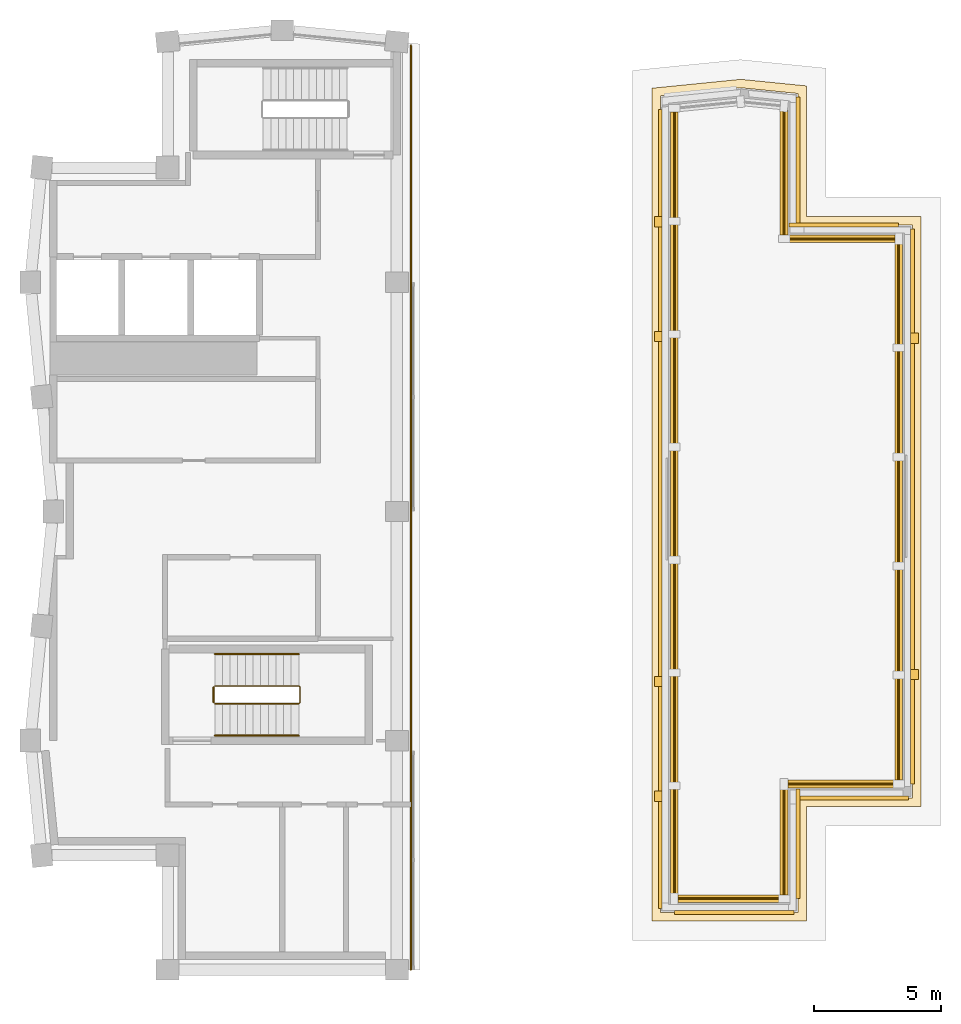
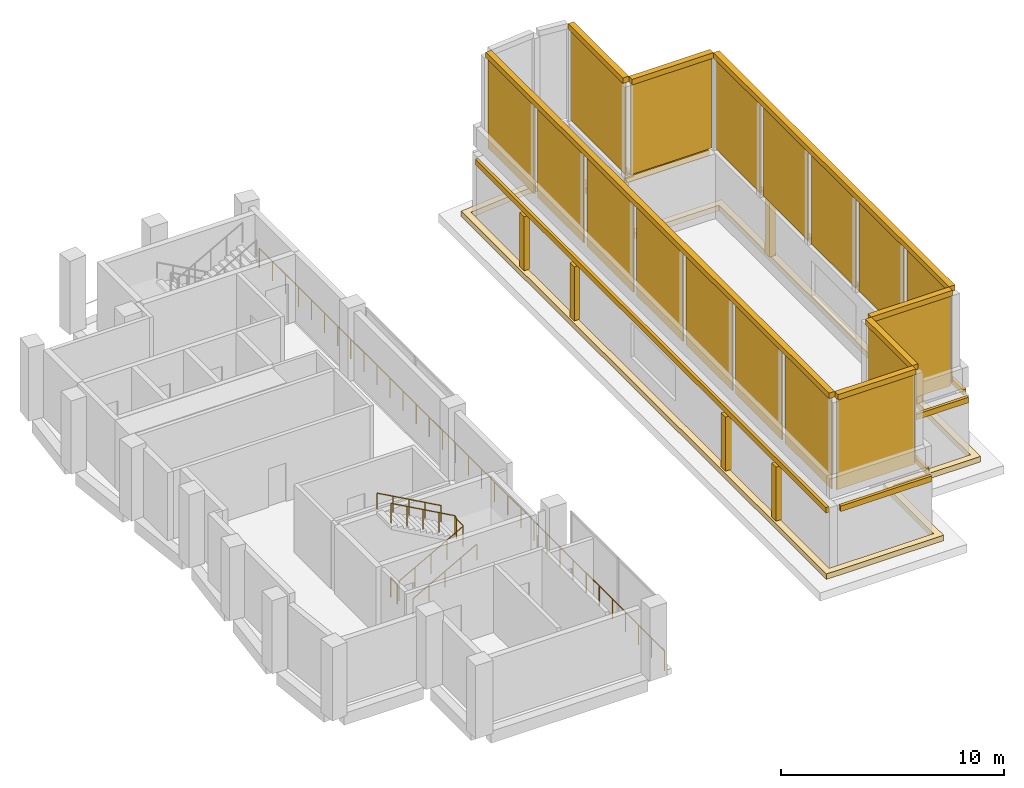
# One storey, part 7 of 8: 38 coverings, 5 railings.
"""IFC4 building model written with IfcOpenShell, lengths in metres."""

from ifc_helpers import new_model, si_unit, direction, frame, origin, origin_2d, place, context, subcontext, project, spatial, polyline, rectangle, circle, outline, extrude, material, layer, layer_set, material_profile, profile_set, type_object, element, save


model = new_model("IFC4")

# Units and contexts
model_context = context("Model", 3, precision=1e-05, world=origin(), true_north=direction((0.0, 1.0)))
body_context = subcontext(model_context, "Body", "Model", "MODEL_VIEW")
ifc_project = project(units=[si_unit("LENGTHUNIT", "METRE"), si_unit("AREAUNIT", "SQUARE_METRE"), si_unit("VOLUMEUNIT", "CUBIC_METRE"), si_unit("PLANEANGLEUNIT", "RADIAN"), si_unit("MASSUNIT", "GRAM", prefix="KILO")], contexts=[model_context])

# Site, building, storey
site_placement = place(None, origin())
site = spatial("IfcSite", under=ifc_project, at=site_placement, CompositionType="ELEMENT")
building_placement = place(site_placement, origin())
building = spatial("IfcBuilding", under=site, at=building_placement, Name="Brondeck Convention Tower", CompositionType="ELEMENT")
storey_placement = place(building_placement, frame((0.0, 0.0, 302.800048828125)))
storey = spatial("IfcBuildingStorey", under=building, at=storey_placement, Name="L75", CompositionType="ELEMENT", Elevation=302.800048828125)

# Coverings
ifc_material_1 = material(Name="Precast concrete C50/60", Category="concrete")
ifc_material_profile = material_profile(ifc_material_1, rectangle(XDim=0.300048828125, YDim=0.300048828125, at=origin_2d()), Name="Crown cap 300 x 300 Precast concrete C50/60")
ifc_profile_set = profile_set([ifc_material_profile], Name="Precast concrete C50/60")
covering_type_1 = type_object("IfcCoveringType", Name="Crown cap 300 x 300 Precast concrete C50/60", PredefinedType="MOLDING", material=ifc_profile_set)
covering_1_placement = place(storey_placement, frame((24.544921875, 29.794921875, 9.64990234375), z_axis=(1.0, 0.0, 0.0), x_axis=(0.0, 1.0, 0.0)))
element("IfcCovering", 1, at=covering_1_placement, inside=storey, type_object=covering_type_1, Name="ENV-CB-K2-T2-00", PredefinedType="MOLDING", context=body_context, shape_type="SweptSolid", body=[
    extrude(rectangle(XDim=0.300048828125, YDim=0.300048828125, at=origin_2d()), origin(), (0.0, 0.0, 1.0), 4.010009765625),
])
for number, where, z_axis, x_axis, name in (
    (2, (28.705078125, 29.945068359375, 9.64990234375), (0.0, 1.0, 0.0), (-1.0, 0.0, 0.0), "ENV-CB-K2-T2-01"),
    (3, (28.85498046875, 34.294921875, 9.64990234375), (1.0, 0.0, 0.0), (0.0, 1.0, 0.0), "ENV-CB-K2-T2-02"),
):
    element("IfcCovering", number, at=place(storey_placement, frame(where, z_axis=z_axis, x_axis=x_axis)), inside=storey, type_object=covering_type_1, Name=name, PredefinedType="MOLDING", context=body_context, shape_type="SweptSolid", body=[
        extrude(rectangle(XDim=0.300048828125, YDim=0.300048828125, at=origin_2d()), origin(), (0.0, 0.0, 1.0), 4.199951171875),
    ])
covering_2_placement = place(storey_placement, frame((33.205078125, 34.445068359375, 9.64990234375), z_axis=(0.0, 1.0, 0.0), x_axis=(-1.0, 0.0, 0.0)))
element("IfcCovering", 4, at=covering_2_placement, inside=storey, type_object=covering_type_1, Name="ENV-CB-K2-T2-03", PredefinedType="MOLDING", context=body_context, shape_type="SweptSolid", body=[
    extrude(rectangle(XDim=0.300048828125, YDim=0.300048828125, at=origin_2d()), origin(), (0.0, 0.0, 1.0), 21.10986328125),
])
covering_3_placement = place(storey_placement, frame((33.054931640625, 55.705078125, 9.64990234375), z_axis=(-1.0, 0.0, 0.0), x_axis=(0.0, -1.0, 0.0)))
element("IfcCovering", 5, at=covering_3_placement, inside=storey, type_object=covering_type_1, Name="ENV-CB-K2-T2-04", PredefinedType="MOLDING", context=body_context, shape_type="SweptSolid", body=[
    extrude(rectangle(XDim=0.300048828125, YDim=0.300048828125, at=origin_2d()), origin(), (0.0, 0.0, 1.0), 4.199951171875),
])
covering_4_placement = place(storey_placement, frame((28.705078125, 55.85498046875, 9.64990234375), z_axis=(0.0, 1.0, 0.0), x_axis=(-1.0, 0.0, 0.0)))
element("IfcCovering", 6, at=covering_4_placement, inside=storey, type_object=covering_type_1, Name="ENV-CB-K2-T2-05", PredefinedType="MOLDING", context=body_context, shape_type="SweptSolid", body=[
    extrude(rectangle(XDim=0.300048828125, YDim=0.300048828125, at=origin_2d()), origin(), (0.0, 0.0, 1.0), 4.91552734375),
])
covering_5_placement = place(storey_placement, frame((24.39501953125, 60.6806640625, 9.64990234375), z_axis=(0.0, -1.0, 0.0), x_axis=(1.0, 0.0, 0.0)))
element("IfcCovering", 7, at=covering_5_placement, inside=storey, type_object=covering_type_1, Name="ENV-CB-K2-T2-08", PredefinedType="MOLDING", context=body_context, shape_type="SweptSolid", body=[
    extrude(rectangle(XDim=0.300048828125, YDim=0.300048828125, at=origin_2d()), origin(), (0.0, 0.0, 1.0), 30.735595703125),
])
ifc_material_2 = material(Name="Aluminium, bronze anodised", Category="aluminium")
ifc_layer_1 = layer(ifc_material_2, 0.06005859375)
ifc_layer_set_1 = layer_set([ifc_layer_1], Name="Crown louvre panel, bronze anodised aluminium")
covering_type_2 = type_object("IfcCoveringType", Name="Crown louvre panel, bronze anodised aluminium", PredefinedType="CLADDING", material=ifc_layer_set_1)
covering_6_placement = place(storey_placement, frame((0.0, 0.0, 4.52001953125)))
element("IfcCovering", 8, at=covering_6_placement, inside=storey, type_object=covering_type_2, Name="ENV-CL-K2-T2-00-0", PredefinedType="CLADDING", context=body_context, shape_type="SweptSolid", body=[
    extrude(outline(polyline([(28.554931640625, 29.824951171875), (24.544921875, 29.824951171875), (24.544921875, 29.764892578125), (28.554931640625, 29.764892578125), (28.554931640625, 29.824951171875)])), origin(), (0.0, 0.0, 1.0), 4.97998046875),
])
covering_7_placement = place(storey_placement, frame((0.0, 0.0, 4.52001953125)))
element("IfcCovering", 9, at=covering_7_placement, inside=storey, type_object=covering_type_2, Name="ENV-CL-K2-T2-01-0", PredefinedType="CLADDING", context=body_context, shape_type="SweptSolid", body=[
    extrude(outline(polyline([(28.675048828125, 34.14501953125), (28.675048828125, 29.945068359375), (28.735107421875, 29.945068359375), (28.735107421875, 34.14501953125), (28.675048828125, 34.14501953125)])), origin(), (0.0, 0.0, 1.0), 4.97998046875),
])
covering_8_placement = place(storey_placement, frame((0.0, 0.0, 4.52001953125)))
element("IfcCovering", 10, at=covering_8_placement, inside=storey, type_object=covering_type_2, Name="ENV-CL-K2-T2-02-0", PredefinedType="CLADDING", context=body_context, shape_type="SweptSolid", body=[
    extrude(outline(polyline([(33.054931640625, 34.324951171875), (28.85498046875, 34.324951171875), (28.85498046875, 34.264892578125), (33.054931640625, 34.264892578125), (33.054931640625, 34.324951171875)])), origin(), (0.0, 0.0, 1.0), 4.97998046875),
])
covering_9_placement = place(storey_placement, frame((0.0, 0.0, 4.52001953125)))
element("IfcCovering", 11, at=covering_9_placement, inside=storey, type_object=covering_type_2, Name="ENV-CL-K2-T2-03-0", PredefinedType="CLADDING", context=body_context, shape_type="SweptSolid", body=[
    extrude(outline(polyline([(33.175048828125, 38.427001953125), (33.175048828125, 34.445068359375), (33.235107421875, 34.445068359375), (33.235107421875, 38.427001953125), (33.175048828125, 38.427001953125)])), origin(), (0.0, 0.0, 1.0), 4.97998046875),
])
covering_10_placement = place(storey_placement, frame((0.0, 0.0, 4.52001953125)))
element("IfcCovering", 12, at=covering_10_placement, inside=storey, type_object=covering_type_2, Name="ENV-CL-K2-T2-03-1", PredefinedType="CLADDING", context=body_context, shape_type="SweptSolid", body=[
    extrude(outline(polyline([(33.175048828125, 42.708984375), (33.175048828125, 38.72705078125), (33.235107421875, 38.72705078125), (33.235107421875, 42.708984375), (33.175048828125, 42.708984375)])), origin(), (0.0, 0.0, 1.0), 4.97998046875),
])
covering_11_placement = place(storey_placement, frame((0.0, 0.0, 4.52001953125)))
element("IfcCovering", 13, at=covering_11_placement, inside=storey, type_object=covering_type_2, Name="ENV-CL-K2-T2-03-2", PredefinedType="CLADDING", context=body_context, shape_type="SweptSolid", body=[
    extrude(outline(polyline([(33.175048828125, 46.990966796875), (33.175048828125, 43.009033203125), (33.235107421875, 43.009033203125), (33.235107421875, 46.990966796875), (33.175048828125, 46.990966796875)])), origin(), (0.0, 0.0, 1.0), 4.97998046875),
])
covering_12_placement = place(storey_placement, frame((0.0, 0.0, 4.52001953125)))
element("IfcCovering", 14, at=covering_12_placement, inside=storey, type_object=covering_type_2, Name="ENV-CL-K2-T2-03-3", PredefinedType="CLADDING", context=body_context, shape_type="SweptSolid", body=[
    extrude(outline(polyline([(33.175048828125, 51.27294921875), (33.175048828125, 47.291015625), (33.235107421875, 47.291015625), (33.235107421875, 51.27294921875), (33.175048828125, 51.27294921875)])), origin(), (0.0, 0.0, 1.0), 4.97998046875),
])
covering_13_placement = place(storey_placement, frame((0.0, 0.0, 4.52001953125)))
element("IfcCovering", 15, at=covering_13_placement, inside=storey, type_object=covering_type_2, Name="ENV-CL-K2-T2-03-4", PredefinedType="CLADDING", context=body_context, shape_type="SweptSolid", body=[
    extrude(outline(polyline([(33.175048828125, 55.554931640625), (33.175048828125, 51.572998046875), (33.235107421875, 51.572998046875), (33.235107421875, 55.554931640625), (33.175048828125, 55.554931640625)])), origin(), (0.0, 0.0, 1.0), 4.97998046875),
])
covering_14_placement = place(storey_placement, frame((0.0, 0.0, 4.52001953125)))
element("IfcCovering", 16, at=covering_14_placement, inside=storey, type_object=covering_type_2, Name="ENV-CL-K2-T2-04-0", PredefinedType="CLADDING", context=body_context, shape_type="SweptSolid", body=[
    extrude(outline(polyline([(28.85498046875, 55.675048828125), (33.054931640625, 55.675048828125), (33.054931640625, 55.735107421875), (28.85498046875, 55.735107421875), (28.85498046875, 55.675048828125)])), origin(), (0.0, 0.0, 1.0), 4.97998046875),
])
covering_15_placement = place(storey_placement, frame((0.0, 0.0, 4.52001953125)))
element("IfcCovering", 17, at=covering_15_placement, inside=storey, type_object=covering_type_2, Name="ENV-CL-K2-T2-05-0", PredefinedType="CLADDING", context=body_context, shape_type="SweptSolid", body=[
    extrude(outline(polyline([(28.675048828125, 60.7705078125), (28.675048828125, 55.85498046875), (28.735107421875, 55.85498046875), (28.735107421875, 60.7705078125), (28.675048828125, 60.7705078125)])), origin(), (0.0, 0.0, 1.0), 4.97998046875),
])
covering_16_placement = place(storey_placement, frame((0.0, 0.0, 4.52001953125)))
element("IfcCovering", 18, at=covering_16_placement, inside=storey, type_object=covering_type_2, Name="ENV-CL-K2-T2-08-0", PredefinedType="CLADDING", context=body_context, shape_type="SweptSolid", body=[
    extrude(outline(polyline([(24.425048828125, 56.546875), (24.425048828125, 60.6806640625), (24.364990234375, 60.6806640625), (24.364990234375, 56.546875), (24.425048828125, 56.546875)])), origin(), (0.0, 0.0, 1.0), 4.97998046875),
])
covering_17_placement = place(storey_placement, frame((0.0, 0.0, 4.52001953125)))
element("IfcCovering", 19, at=covering_17_placement, inside=storey, type_object=covering_type_2, Name="ENV-CL-K2-T2-08-1", PredefinedType="CLADDING", context=body_context, shape_type="SweptSolid", body=[
    extrude(outline(polyline([(24.425048828125, 52.11328125), (24.425048828125, 56.246826171875), (24.364990234375, 56.246826171875), (24.364990234375, 52.11328125), (24.425048828125, 52.11328125)])), origin(), (0.0, 0.0, 1.0), 4.97998046875),
])
covering_18_placement = place(storey_placement, frame((0.0, 0.0, 4.52001953125)))
element("IfcCovering", 20, at=covering_18_placement, inside=storey, type_object=covering_type_2, Name="ENV-CL-K2-T2-08-2", PredefinedType="CLADDING", context=body_context, shape_type="SweptSolid", body=[
    extrude(outline(polyline([(24.425048828125, 47.6796875), (24.425048828125, 51.813232421875), (24.364990234375, 51.813232421875), (24.364990234375, 47.6796875), (24.425048828125, 47.6796875)])), origin(), (0.0, 0.0, 1.0), 4.97998046875),
])
covering_19_placement = place(storey_placement, frame((0.0, 0.0, 4.52001953125)))
element("IfcCovering", 21, at=covering_19_placement, inside=storey, type_object=covering_type_2, Name="ENV-CL-K2-T2-08-3", PredefinedType="CLADDING", context=body_context, shape_type="SweptSolid", body=[
    extrude(outline(polyline([(24.425048828125, 43.24609375), (24.425048828125, 47.379638671875), (24.364990234375, 47.379638671875), (24.364990234375, 43.24609375), (24.425048828125, 43.24609375)])), origin(), (0.0, 0.0, 1.0), 4.97998046875),
])
covering_20_placement = place(storey_placement, frame((0.0, 0.0, 4.52001953125)))
element("IfcCovering", 22, at=covering_20_placement, inside=storey, type_object=covering_type_2, Name="ENV-CL-K2-T2-08-4", PredefinedType="CLADDING", context=body_context, shape_type="SweptSolid", body=[
    extrude(outline(polyline([(24.425048828125, 38.812255859375), (24.425048828125, 42.946044921875), (24.364990234375, 42.946044921875), (24.364990234375, 38.812255859375), (24.425048828125, 38.812255859375)])), origin(), (0.0, 0.0, 1.0), 4.97998046875),
])
covering_21_placement = place(storey_placement, frame((0.0, 0.0, 4.52001953125)))
element("IfcCovering", 23, at=covering_21_placement, inside=storey, type_object=covering_type_2, Name="ENV-CL-K2-T2-08-5", PredefinedType="CLADDING", context=body_context, shape_type="SweptSolid", body=[
    extrude(outline(polyline([(24.425048828125, 34.378662109375), (24.425048828125, 38.51220703125), (24.364990234375, 38.51220703125), (24.364990234375, 34.378662109375), (24.425048828125, 34.378662109375)])), origin(), (0.0, 0.0, 1.0), 4.97998046875),
])
covering_22_placement = place(storey_placement, frame((0.0, 0.0, 4.52001953125)))
element("IfcCovering", 24, at=covering_22_placement, inside=storey, type_object=covering_type_2, Name="ENV-CL-K2-T2-08-6", PredefinedType="CLADDING", context=body_context, shape_type="SweptSolid", body=[
    extrude(outline(polyline([(24.425048828125, 29.945068359375), (24.425048828125, 34.07861328125), (24.364990234375, 34.07861328125), (24.364990234375, 29.945068359375), (24.425048828125, 29.945068359375)])), origin(), (0.0, 0.0, 1.0), 4.97998046875),
])
ifc_material_3 = material(Name="Precast concrete C50/60 bronze finish", Category="concrete")
ifc_layer_2 = layer(ifc_material_3, 0.300048828125)
ifc_layer_set_2 = layer_set([ifc_layer_2], Name="Crown pilaster 400x300")
covering_type_3 = type_object("IfcCoveringType", Name="Crown pilaster 400x300", PredefinedType="CLADDING", material=ifc_layer_set_2)
covering_23_placement = place(storey_placement, frame((0.0, 0.0, 0.800048828125)))
element("IfcCovering", 25, at=covering_23_placement, inside=storey, type_object=covering_type_3, Name="ENV-CP-K2-T2-04-01", PredefinedType="CLADDING", context=body_context, shape_type="SweptSolid", body=[
    extrude(outline(polyline([(33.97998046875, 51.599609375), (33.97998046875, 51.99951171875), (33.679931640625, 51.99951171875), (33.679931640625, 51.599609375), (33.97998046875, 51.599609375)])), origin(), (0.0, 0.0, 1.0), 2.949951171875),
])
covering_24_placement = place(storey_placement, frame((0.0, 0.0, 0.800048828125)))
element("IfcCovering", 26, at=covering_24_placement, inside=storey, type_object=covering_type_3, Name="ENV-CP-K2-T2-04-04", PredefinedType="CLADDING", context=body_context, shape_type="SweptSolid", body=[
    extrude(outline(polyline([(33.97998046875, 38.3984375), (33.97998046875, 38.79833984375), (33.679931640625, 38.79833984375), (33.679931640625, 38.3984375), (33.97998046875, 38.3984375)])), origin(), (0.0, 0.0, 1.0), 2.949951171875),
])
covering_25_placement = place(storey_placement, frame((0.0, 0.0, 0.800048828125)))
element("IfcCovering", 27, at=covering_25_placement, inside=storey, type_object=covering_type_3, Name="ENV-CP-K2-T2-09-01", PredefinedType="CLADDING", context=body_context, shape_type="SweptSolid", body=[
    extrude(outline(polyline([(23.6201171875, 34.01318359375), (23.6201171875, 33.613037109375), (23.919921875, 33.613037109375), (23.919921875, 34.01318359375), (23.6201171875, 34.01318359375)])), origin(), (0.0, 0.0, 1.0), 2.949951171875),
])
covering_26_placement = place(storey_placement, frame((0.0, 0.0, 0.800048828125)))
element("IfcCovering", 28, at=covering_26_placement, inside=storey, type_object=covering_type_3, Name="ENV-CP-K2-T2-09-02", PredefinedType="CLADDING", context=body_context, shape_type="SweptSolid", body=[
    extrude(outline(polyline([(23.6201171875, 38.526123046875), (23.6201171875, 38.126220703125), (23.919921875, 38.126220703125), (23.919921875, 38.526123046875), (23.6201171875, 38.526123046875)])), origin(), (0.0, 0.0, 1.0), 2.949951171875),
])
covering_27_placement = place(storey_placement, frame((0.0, 0.0, 0.800048828125)))
element("IfcCovering", 29, at=covering_27_placement, inside=storey, type_object=covering_type_3, Name="ENV-CP-K2-T2-09-05", PredefinedType="CLADDING", context=body_context, shape_type="SweptSolid", body=[
    extrude(outline(polyline([(23.6201171875, 52.0654296875), (23.6201171875, 51.665283203125), (23.919921875, 51.665283203125), (23.919921875, 52.0654296875), (23.6201171875, 52.0654296875)])), origin(), (0.0, 0.0, 1.0), 2.949951171875),
])
covering_28_placement = place(storey_placement, frame((0.0, 0.0, 0.800048828125)))
element("IfcCovering", 30, at=covering_28_placement, inside=storey, type_object=covering_type_3, Name="ENV-CP-K2-T2-09-06", PredefinedType="CLADDING", context=body_context, shape_type="SweptSolid", body=[
    extrude(outline(polyline([(23.6201171875, 56.578369140625), (23.6201171875, 56.178466796875), (23.919921875, 56.178466796875), (23.919921875, 56.578369140625), (23.6201171875, 56.578369140625)])), origin(), (0.0, 0.0, 1.0), 2.949951171875),
])
ifc_layer_3 = layer(ifc_material_3, 0.14990234375)
ifc_layer_set_3 = layer_set([ifc_layer_3], Name="Crown tier cornice, precast")
covering_type_4 = type_object("IfcCoveringType", Name="Crown tier cornice, precast", PredefinedType="MOLDING", material=ifc_layer_set_3)
covering_29_placement = place(storey_placement, frame((0.0, 0.0, 3.75)))
element("IfcCovering", 31, at=covering_29_placement, inside=storey, type_object=covering_type_4, Name="ENV-CC-K2-T2-01", PredefinedType="MOLDING", context=body_context, shape_type="SweptSolid", body=[
    extrude(outline(polyline([(24.39990234375, 29.169921875), (29.10009765625, 29.169921875), (29.10009765625, 29.320068359375), (24.39990234375, 29.320068359375), (24.39990234375, 29.169921875)])), origin(), (0.0, 0.0, 1.0), 0.300048828125),
])
covering_30_placement = place(storey_placement, frame((0.0, 0.0, 3.75)))
element("IfcCovering", 32, at=covering_30_placement, inside=storey, type_object=covering_type_4, Name="ENV-CC-K2-T2-02", PredefinedType="MOLDING", context=body_context, shape_type="SweptSolid", body=[
    extrude(outline(polyline([(29.330078125, 29.800048828125), (29.330078125, 34.10009765625), (29.179931640625, 34.10009765625), (29.179931640625, 29.800048828125), (29.330078125, 29.800048828125)])), origin(), (0.0, 0.0, 1.0), 0.300048828125),
])
covering_31_placement = place(storey_placement, frame((0.0, 0.0, 3.75)))
element("IfcCovering", 33, at=covering_31_placement, inside=storey, type_object=covering_type_4, Name="ENV-CC-K2-T2-03", PredefinedType="MOLDING", context=body_context, shape_type="SweptSolid", body=[
    extrude(outline(polyline([(29.300048828125, 33.669921875), (33.60009765625, 33.669921875), (33.60009765625, 33.820068359375), (29.300048828125, 33.820068359375), (29.300048828125, 33.669921875)])), origin(), (0.0, 0.0, 1.0), 0.300048828125),
])
covering_32_placement = place(storey_placement, frame((0.0, 0.0, 3.75)))
element("IfcCovering", 34, at=covering_32_placement, inside=storey, type_object=covering_type_4, Name="ENV-CC-K2-T2-04", PredefinedType="MOLDING", context=body_context, shape_type="SweptSolid", body=[
    extrude(outline(polyline([(33.830078125, 34.298095703125), (33.830078125, 56.10009765625), (33.679931640625, 56.10009765625), (33.679931640625, 34.298095703125), (33.830078125, 34.298095703125)])), origin(), (0.0, 0.0, 1.0), 0.300048828125),
])
covering_33_placement = place(storey_placement, frame((0.0, 0.0, 3.75)))
element("IfcCovering", 35, at=covering_33_placement, inside=storey, type_object=covering_type_4, Name="ENV-CC-K2-T2-05", PredefinedType="MOLDING", context=body_context, shape_type="SweptSolid", body=[
    extrude(outline(polyline([(33.201904296875, 56.330078125), (28.89990234375, 56.330078125), (28.89990234375, 56.179931640625), (33.201904296875, 56.179931640625), (33.201904296875, 56.330078125)])), origin(), (0.0, 0.0, 1.0), 0.300048828125),
])
covering_34_placement = place(storey_placement, frame((0.0, 0.0, 3.75)))
element("IfcCovering", 36, at=covering_34_placement, inside=storey, type_object=covering_type_4, Name="ENV-CC-K2-T2-06", PredefinedType="MOLDING", context=body_context, shape_type="SweptSolid", body=[
    extrude(outline(polyline([(29.330078125, 56.298095703125), (29.330078125, 61.2685546875), (29.179931640625, 61.2685546875), (29.179931640625, 56.298095703125), (29.330078125, 56.298095703125)])), origin(), (0.0, 0.0, 1.0), 0.300048828125),
])
covering_35_placement = place(storey_placement, frame((0.0, 0.0, 3.75)))
element("IfcCovering", 37, at=covering_35_placement, inside=storey, type_object=covering_type_4, Name="ENV-CC-K2-T2-09", PredefinedType="MOLDING", context=body_context, shape_type="SweptSolid", body=[
    extrude(outline(polyline([(23.77001953125, 60.79150390625), (23.77001953125, 29.39990234375), (23.919921875, 29.39990234375), (23.919921875, 60.79150390625), (23.77001953125, 60.79150390625)])), origin(), (0.0, 0.0, 1.0), 0.300048828125),
])

# Railing
ifc_material_4 = material(Name="Steel S355, bronze painted", Category="steel")
railing_type_1 = type_object("IfcRailingType", Name="Guard, bronze steel rail and posts", PredefinedType="GUARDRAIL", material=ifc_material_4)
railing_1_placement = place(storey_placement, frame((14.050048828125, 27.0, 0.0)))
element("IfcRailing", 38, at=railing_1_placement, inside=storey, type_object=railing_type_1, Name="ENV-SLOT-144-L75-RL1", PredefinedType="GUARDRAIL", context=body_context, shape_type="SweptSolid", body=[
    extrude(circle(Radius=0.02490234375, at=origin_2d()), frame((0.0, 0.0, 1.0751953125), z_axis=(0.0, 1.0, 0.0), x_axis=(-1.0, 0.0, 0.0)), (0.0, 0.0, 1.0), 36.294921875),
    extrude(circle(Radius=0.02490234375, at=origin_2d()), origin(), (0.0, 0.0, 1.0), 1.050048828125),
    extrude(circle(Radius=0.02490234375, at=origin_2d()), frame((0.0, 1.1708984375, 0.0)), (0.0, 0.0, 1.0), 1.050048828125),
    extrude(circle(Radius=0.02490234375, at=origin_2d()), frame((0.0, 2.341552734375, 0.0)), (0.0, 0.0, 1.0), 1.050048828125),
    extrude(circle(Radius=0.02490234375, at=origin_2d()), frame((0.0, 3.512451171875, 0.0)), (0.0, 0.0, 1.0), 1.050048828125),
    extrude(circle(Radius=0.02490234375, at=origin_2d()), frame((0.0, 4.68310546875, 0.0)), (0.0, 0.0, 1.0), 1.050048828125),
    extrude(circle(Radius=0.02490234375, at=origin_2d()), frame((0.0, 5.85400390625, 0.0)), (0.0, 0.0, 1.0), 1.050048828125),
    extrude(circle(Radius=0.02490234375, at=origin_2d()), frame((0.0, 7.02490234375, 0.0)), (0.0, 0.0, 1.0), 1.050048828125),
    extrude(circle(Radius=0.02490234375, at=origin_2d()), frame((0.0, 8.195556640625, 0.0)), (0.0, 0.0, 1.0), 1.050048828125),
    extrude(circle(Radius=0.02490234375, at=origin_2d()), frame((0.0, 9.366455078125, 0.0)), (0.0, 0.0, 1.0), 1.050048828125),
    extrude(circle(Radius=0.02490234375, at=origin_2d()), frame((0.0, 10.537353515625, 0.0)), (0.0, 0.0, 1.0), 1.050048828125),
    extrude(circle(Radius=0.02490234375, at=origin_2d()), frame((0.0, 11.7080078125, 0.0)), (0.0, 0.0, 1.0), 1.050048828125),
    extrude(circle(Radius=0.02490234375, at=origin_2d()), frame((0.0, 12.87890625, 0.0)), (0.0, 0.0, 1.0), 1.050048828125),
    extrude(circle(Radius=0.02490234375, at=origin_2d()), frame((0.0, 14.049560546875, 0.0)), (0.0, 0.0, 1.0), 1.050048828125),
    extrude(circle(Radius=0.02490234375, at=origin_2d()), frame((0.0, 15.220458984375, 0.0)), (0.0, 0.0, 1.0), 1.050048828125),
    extrude(circle(Radius=0.02490234375, at=origin_2d()), frame((0.0, 16.391357421875, 0.0)), (0.0, 0.0, 1.0), 1.050048828125),
    extrude(circle(Radius=0.02490234375, at=origin_2d()), frame((0.0, 17.56201171875, 0.0)), (0.0, 0.0, 1.0), 1.050048828125),
    extrude(circle(Radius=0.02490234375, at=origin_2d()), frame((0.0, 18.73291015625, 0.0)), (0.0, 0.0, 1.0), 1.050048828125),
    extrude(circle(Radius=0.02490234375, at=origin_2d()), frame((0.0, 19.903564453125, 0.0)), (0.0, 0.0, 1.0), 1.050048828125),
    extrude(circle(Radius=0.02490234375, at=origin_2d()), frame((0.0, 21.074462890625, 0.0)), (0.0, 0.0, 1.0), 1.050048828125),
    extrude(circle(Radius=0.02490234375, at=origin_2d()), frame((0.0, 22.245361328125, 0.0)), (0.0, 0.0, 1.0), 1.050048828125),
    extrude(circle(Radius=0.02490234375, at=origin_2d()), frame((0.0, 23.416015625, 0.0)), (0.0, 0.0, 1.0), 1.050048828125),
    extrude(circle(Radius=0.02490234375, at=origin_2d()), frame((0.0, 24.5869140625, 0.0)), (0.0, 0.0, 1.0), 1.050048828125),
    extrude(circle(Radius=0.02490234375, at=origin_2d()), frame((0.0, 25.757568359375, 0.0)), (0.0, 0.0, 1.0), 1.050048828125),
    extrude(circle(Radius=0.02490234375, at=origin_2d()), frame((0.0, 26.928466796875, 0.0)), (0.0, 0.0, 1.0), 1.050048828125),
    extrude(circle(Radius=0.02490234375, at=origin_2d()), frame((0.0, 28.099365234375, 0.0)), (0.0, 0.0, 1.0), 1.050048828125),
    extrude(circle(Radius=0.02490234375, at=origin_2d()), frame((0.0, 29.27001953125, 0.0)), (0.0, 0.0, 1.0), 1.050048828125),
    extrude(circle(Radius=0.02490234375, at=origin_2d()), frame((0.0, 30.44091796875, 0.0)), (0.0, 0.0, 1.0), 1.050048828125),
    extrude(circle(Radius=0.02490234375, at=origin_2d()), frame((0.0, 31.61181640625, 0.0)), (0.0, 0.0, 1.0), 1.050048828125),
    extrude(circle(Radius=0.02490234375, at=origin_2d()), frame((0.0, 32.782470703125, 0.0)), (0.0, 0.0, 1.0), 1.050048828125),
    extrude(circle(Radius=0.02490234375, at=origin_2d()), frame((0.0, 33.953369140625, 0.0)), (0.0, 0.0, 1.0), 1.050048828125),
    extrude(circle(Radius=0.02490234375, at=origin_2d()), frame((0.0, 35.1240234375, 0.0)), (0.0, 0.0, 1.0), 1.050048828125),
    extrude(circle(Radius=0.02490234375, at=origin_2d()), frame((0.0, 36.294921875, 0.0)), (0.0, 0.0, 1.0), 1.050048828125),
])

# Covering
ifc_material_5 = material(Name="Bitumen membrane")
ifc_layer_4 = layer(ifc_material_5, 0.02001953125, Name="Waterproofing")
ifc_material_6 = material(Name="Mineral wool")
ifc_layer_5 = layer(ifc_material_6, 0.280029296875, Name="Insulation")
ifc_layer_set_4 = layer_set([ifc_layer_4, ifc_layer_5], Name="Roof membrane and insulation")
covering_type_5 = type_object("IfcCoveringType", Name="Roof membrane and insulation", PredefinedType="ROOFING", material=ifc_layer_set_4)
covering_36_placement = place(storey_placement, frame((0.0, 0.0, 0.5)))
element("IfcCovering", 39, at=covering_36_placement, inside=storey, type_object=covering_type_5, Name="ENV-CT-K2-T1-RF1", PredefinedType="ROOFING", context=body_context, shape_type="SweptSolid", body=[
    extrude(outline(polyline([(27.0, 61.970458984375), (23.52001953125, 61.622314453125), (23.52001953125, 28.919921875), (29.580078125, 28.919921875), (29.580078125, 33.419921875), (34.080078125, 33.419921875), (34.080078125, 56.580078125), (29.580078125, 56.580078125), (29.580078125, 61.71240234375), (27.0, 61.970458984375)]), holes=[polyline([(29.25, 33.75), (29.25, 29.25), (23.85009765625, 29.25), (23.85009765625, 61.32373046875), (27.0, 61.638916015625), (29.25, 61.413818359375), (29.25, 56.25), (33.75, 56.25), (33.75, 33.75), (29.25, 33.75)])]), origin(), (0.0, 0.0, 1.0), 0.300048828125),
])

# Railings
ifc_material_7 = material(Name="Steel S355", Category="steel")
railing_type_2 = type_object("IfcRailingType", Name="Stair guard 1100", PredefinedType="GUARDRAIL", material=ifc_material_7)
railing_2_placement = place(storey_placement, frame((6.35009765625, 37.449951171875, 0.16650390625)))
element("IfcRailing", 40, at=railing_2_placement, inside=storey, type_object=railing_type_2, Name="L75 ST-1 stair guard 1", PredefinedType="GUARDRAIL", context=body_context, shape_type="SweptSolid", body=[
    extrude(circle(Radius=0.02392578125, at=origin_2d()), frame((0.0, 0.0, 1.076171875), z_axis=(0.874126768038, 0.0, 0.485697841667), x_axis=(0.0, 1.0, 0.0)), (0.0, 0.0, 1.0), 3.77490234375),
    extrude(circle(Radius=0.02392578125, at=origin_2d()), frame((3.2998046875, 0.0, 2.90966796875), z_axis=(0.707106781187, 0.707106781187, 0.0), x_axis=(-0.707106781187, 0.707106781187, 0.0)), (0.0, 0.0, 1.0), 0.07080078125),
    extrude(circle(Radius=0.02392578125, at=origin_2d()), frame((3.349853515625, 0.050048828125, 2.90966796875), z_axis=(0.0, 1.0, 0.0), x_axis=(-1.0, 0.0, 0.0)), (0.0, 0.0, 1.0), 0.60009765625),
    extrude(circle(Radius=0.02392578125, at=origin_2d()), frame((3.349853515625, 0.650146484375, 2.90966796875), z_axis=(-0.276732813696, 0.275382897532, 0.920642824102), x_axis=(-0.705375805398, -0.708833529934, 0.0)), (0.0, 0.0, 1.0), 0.180908203125),
    extrude(circle(Radius=0.02392578125, at=origin_2d()), frame((3.2998046875, 0.699951171875, 3.076171875), z_axis=(-0.874126768038, 0.0, 0.485697841667), x_axis=(0.0, -1.0, 0.0)), (0.0, 0.0, 1.0), 3.77490234375),
    extrude(circle(Radius=0.02099609375, at=origin_2d()), origin(), (0.0, 0.0, 1.0), 1.052001953125),
    extrude(circle(Radius=0.02099609375, at=origin_2d()), frame((0.824951171875, 0.0, 0.45849609375)), (0.0, 0.0, 1.0), 1.052001953125),
    extrude(circle(Radius=0.02099609375, at=origin_2d()), frame((1.64990234375, 0.0, 0.916748046875)), (0.0, 0.0, 1.0), 1.052001953125),
    extrude(circle(Radius=0.02099609375, at=origin_2d()), frame((2.474853515625, 0.0, 1.375)), (0.0, 0.0, 1.0), 1.052001953125),
    extrude(circle(Radius=0.02099609375, at=origin_2d()), frame((3.2998046875, 0.0, 1.83349609375)), (0.0, 0.0, 1.0), 1.052001953125),
    extrude(circle(Radius=0.02099609375, at=origin_2d()), frame((3.349853515625, 0.050048828125, 1.83349609375)), (0.0, 0.0, 1.0), 1.052001953125),
    extrude(circle(Radius=0.02099609375, at=origin_2d()), frame((3.349853515625, 0.650146484375, 1.83349609375)), (0.0, 0.0, 1.0), 1.052001953125),
    extrude(circle(Radius=0.02099609375, at=origin_2d()), frame((3.2998046875, 0.699951171875, 2.0)), (0.0, 0.0, 1.0), 1.052001953125),
    extrude(circle(Radius=0.02099609375, at=origin_2d()), frame((2.474853515625, 0.699951171875, 2.45849609375)), (0.0, 0.0, 1.0), 1.052001953125),
    extrude(circle(Radius=0.02099609375, at=origin_2d()), frame((1.64990234375, 0.699951171875, 2.916748046875)), (0.0, 0.0, 1.0), 1.052001953125),
    extrude(circle(Radius=0.02099609375, at=origin_2d()), frame((0.824951171875, 0.699951171875, 3.375)), (0.0, 0.0, 1.0), 1.052001953125),
    extrude(circle(Radius=0.02099609375, at=origin_2d()), frame((0.0, 0.699951171875, 3.83349609375)), (0.0, 0.0, 1.0), 1.052001953125),
])
railing_3_placement = place(storey_placement, frame((6.300048828125, 37.5, 0.0)))
element("IfcRailing", 41, at=railing_3_placement, inside=storey, type_object=railing_type_2, Name="L75 ST-1 stair guard 2", PredefinedType="GUARDRAIL", context=body_context, shape_type="SweptSolid", body=[
    extrude(circle(Radius=0.02392578125, at=origin_2d()), frame((0.0, 0.0, 1.076171875), z_axis=(0.0, 1.0, 0.0), x_axis=(-1.0, 0.0, 0.0)), (0.0, 0.0, 1.0), 0.60009765625),
    extrude(circle(Radius=0.02099609375, at=origin_2d()), origin(), (0.0, 0.0, 1.0), 1.052001953125),
    extrude(circle(Radius=0.02099609375, at=origin_2d()), frame((0.0, 0.60009765625, 0.0)), (0.0, 0.0, 1.0), 1.052001953125),
])
railing_type_3 = type_object("IfcRailingType", Name="Stair handrail", PredefinedType="HANDRAIL", material=ifc_material_7)
railing_4_placement = place(storey_placement, frame((6.35009765625, 36.199951171875, 0.16650390625)))
element("IfcRailing", 42, at=railing_4_placement, inside=storey, type_object=railing_type_3, Name="L75 ST-1 stair handrail 1", PredefinedType="HANDRAIL", context=body_context, shape_type="SweptSolid", body=[
    extrude(circle(Radius=0.02392578125, at=origin_2d()), frame((0.0, 0.0, 0.8759765625), z_axis=(0.874126768038, 0.0, 0.485697841667), x_axis=(0.0, 1.0, 0.0)), (0.0, 0.0, 1.0), 3.77490234375),
    extrude(circle(Radius=0.02099609375, at=origin_2d()), origin(), (0.0, 0.0, 1.0), 0.851806640625),
    extrude(circle(Radius=0.02099609375, at=origin_2d()), frame((0.824951171875, 0.0, 0.45849609375)), (0.0, 0.0, 1.0), 0.851806640625),
    extrude(circle(Radius=0.02099609375, at=origin_2d()), frame((1.64990234375, 0.0, 0.916748046875)), (0.0, 0.0, 1.0), 0.851806640625),
    extrude(circle(Radius=0.02099609375, at=origin_2d()), frame((2.474853515625, 0.0, 1.375)), (0.0, 0.0, 1.0), 0.851806640625),
    extrude(circle(Radius=0.02099609375, at=origin_2d()), frame((3.2998046875, 0.0, 1.83349609375)), (0.0, 0.0, 1.0), 0.851806640625),
])
railing_5_placement = place(storey_placement, frame((9.64990234375, 39.39990234375, 2.16650390625)))
element("IfcRailing", 43, at=railing_5_placement, inside=storey, type_object=railing_type_3, Name="L75 ST-1 stair handrail 2", PredefinedType="HANDRAIL", context=body_context, shape_type="SweptSolid", body=[
    extrude(circle(Radius=0.02392578125, at=origin_2d()), frame((0.0, 0.0, 0.8759765625), z_axis=(-0.874126768038, 0.0, 0.485697841667), x_axis=(0.0, -1.0, 0.0)), (0.0, 0.0, 1.0), 3.77490234375),
    extrude(circle(Radius=0.02099609375, at=origin_2d()), origin(), (0.0, 0.0, 1.0), 0.851806640625),
    extrude(circle(Radius=0.02099609375, at=origin_2d()), frame((-0.824951171875, 0.0, 0.45849609375)), (0.0, 0.0, 1.0), 0.851806640625),
    extrude(circle(Radius=0.02099609375, at=origin_2d()), frame((-1.64990234375, 0.0, 0.916748046875)), (0.0, 0.0, 1.0), 0.851806640625),
    extrude(circle(Radius=0.02099609375, at=origin_2d()), frame((-2.474853515625, 0.0, 1.375)), (0.0, 0.0, 1.0), 0.851806640625),
    extrude(circle(Radius=0.02099609375, at=origin_2d()), frame((-3.2998046875, 0.0, 1.83349609375)), (0.0, 0.0, 1.0), 0.851806640625),
])

save(model, "model.ifc")
